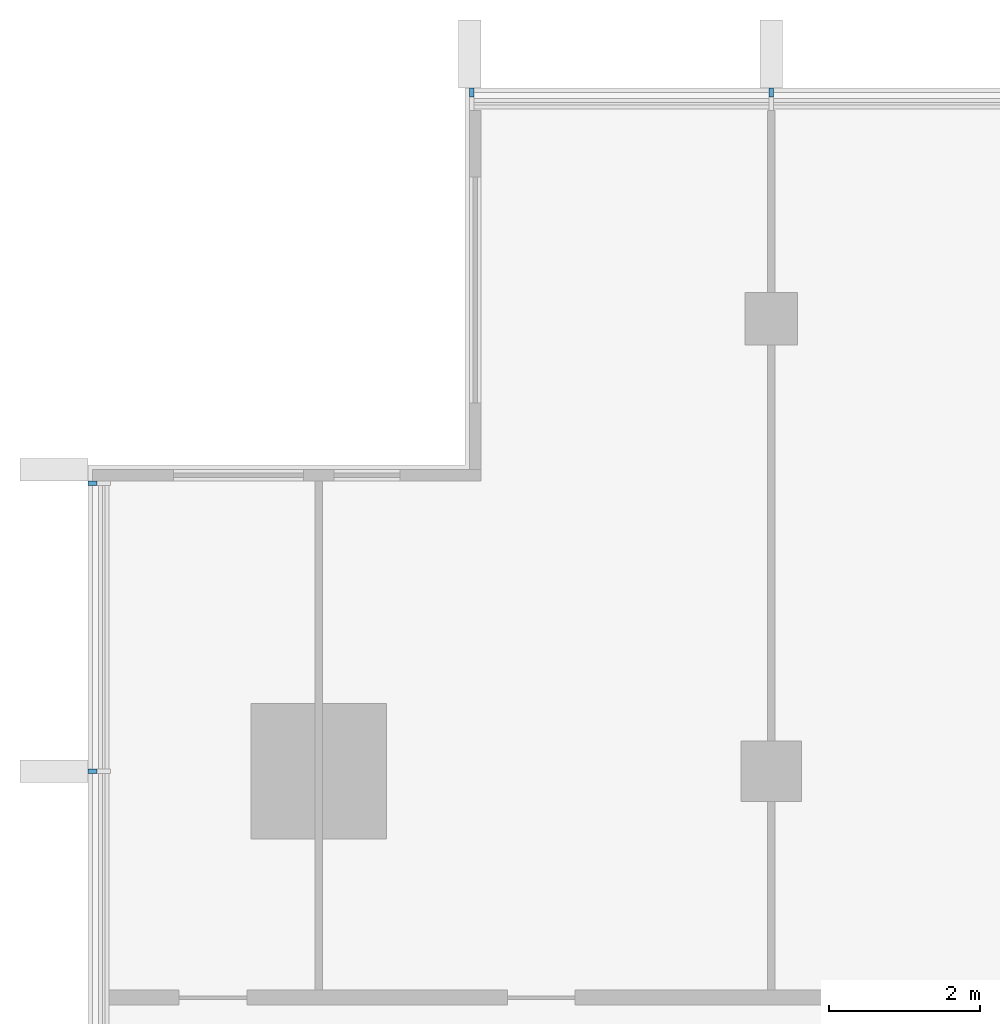
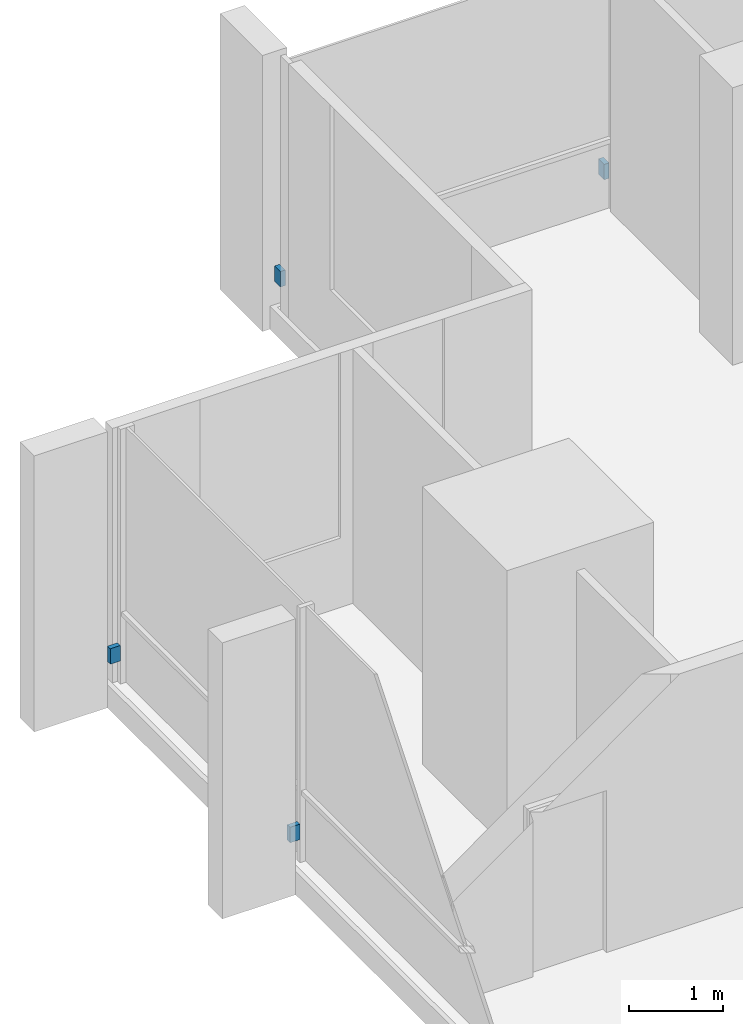
# One storey, part 13 of 15: 4 discrete accessories.
"""IFC4 building model written with IfcOpenShell, lengths in metres."""

import ifcopenshell
import ifcopenshell.guid

model = None  # the IFC model being written
_history = None  # IfcOwnerHistory: only IFC2X3 demands one
_inside = {}  # id of a spatial element -> (the spatial element, [elements in it])
_under = {}  # id of a project, library or spatial element -> (it, [spatial elements below it])
_declared = {}  # id of a project -> (the project, [libraries it declares])
_typed = {}  # id of a type object -> (the type object, [elements of that type])
_made_of = {}  # id of a material, layer set ... -> (it, [elements and type objects made of it])


def new_model(schema):
    """Start an empty IFC model of exactly this schema.

    Asked for "IFC4X3", IfcOpenShell would pick the latest addendum, in which some entities
    have other attributes; the version numbers below select the first issue.
    IFC2X3 requires an IfcOwnerHistory on every rooted entity: one is made here for all.
    """
    global model, _history
    if schema == "IFC4X3":
        model = ifcopenshell.file(schema_version=(4, 3, 0, 0))
    else:
        model = ifcopenshell.file(schema=schema)
    _inside.clear()
    _under.clear()
    _declared.clear()
    _typed.clear()
    _made_of.clear()
    _history = None
    if model.schema == "IFC2X3":
        org = make("IfcOrganization", Name="unknown")
        user = make(
            "IfcPersonAndOrganization",
            ThePerson=make("IfcPerson", FamilyName="unknown"),
            TheOrganization=org,
        )
        app = make(
            "IfcApplication",
            ApplicationDeveloper=org,
            Version="unknown",
            ApplicationFullName="unknown",
            ApplicationIdentifier="unknown",
        )
        _history = make(
            "IfcOwnerHistory",
            OwningUser=user,
            OwningApplication=app,
            ChangeAction="ADDED",
            CreationDate=0,
        )
    return model


def make(cls, **values):
    """One entity of the class cls with the attributes given. An attribute that is None is left unset."""
    return model.create_entity(
        cls, **{name: value for name, value in values.items() if value is not None}
    )


def rooted(cls, **values):
    """An entity with a GlobalId (a new one), such as an element, a storey or a relation."""
    return make(cls, GlobalId=ifcopenshell.guid.new(), OwnerHistory=_history, **values)


def si_unit(unit_type, name, prefix=None):
    """IfcSIUnit, for example si_unit("LENGTHUNIT", "METRE", prefix="MILLI")."""
    return make("IfcSIUnit", UnitType=unit_type, Prefix=prefix, Name=name)


def assignment(units):
    """IfcUnitAssignment: the units of a project."""
    return None if units is None else make("IfcUnitAssignment", Units=units)


def point(xyz):
    """IfcCartesianPoint."""
    return None if xyz is None else make("IfcCartesianPoint", Coordinates=xyz)


def direction(xyz):
    """IfcDirection."""
    return None if xyz is None else make("IfcDirection", DirectionRatios=xyz)


def frame(location, z_axis=None, x_axis=None):
    """IfcAxis2Placement3D, a coordinate frame: its origin and axes. An axis left out is left unset."""
    return make(
        "IfcAxis2Placement3D",
        Location=point(location),
        Axis=direction(z_axis),
        RefDirection=direction(x_axis),
    )


def frame_2d(location, x_axis=None):
    """IfcAxis2Placement2D, a coordinate frame in the plane: its origin and x axis."""
    return make(
        "IfcAxis2Placement2D", Location=point(location), RefDirection=direction(x_axis)
    )


def origin():
    """The frame at (0, 0, 0) with its axes left unset."""
    return frame((0.0, 0.0, 0.0))


def origin_2d():
    """The frame at (0, 0) in the plane with its x axis left unset."""
    return frame_2d((0.0, 0.0))


def place(relative_to, where):
    """IfcLocalPlacement: puts the frame where relative to a parent placement (None: the world)."""
    return make(
        "IfcLocalPlacement", PlacementRelTo=relative_to, RelativePlacement=where
    )


def context(
    kind, dimensions, precision=None, world=None, true_north=None, identifier=None
):
    """IfcGeometricRepresentationContext, for example the 3D "Model" context."""
    return make(
        "IfcGeometricRepresentationContext",
        ContextIdentifier=identifier,
        ContextType=kind,
        CoordinateSpaceDimension=dimensions,
        Precision=precision,
        WorldCoordinateSystem=world,
        TrueNorth=true_north,
    )


def subcontext(parent, identifier, kind, view, scale=None):
    """IfcGeometricRepresentationSubContext, for example "Body" below "Model"."""
    return make(
        "IfcGeometricRepresentationSubContext",
        ContextIdentifier=identifier,
        ContextType=kind,
        ParentContext=parent,
        TargetScale=scale,
        TargetView=view,
    )


def project(units=None, contexts=None):
    """IfcProject with its units and contexts."""
    return rooted(
        "IfcProject",
        Name="project",
        RepresentationContexts=contexts,
        UnitsInContext=assignment(units),
    )


def spatial(cls, under=None, at=None, **own):
    """A site, building, storey or space (cls), placed at a placement, below another one or the project."""
    s = rooted(cls, ObjectPlacement=at, **own)
    if under is not None:
        _under.setdefault(under.id(), (under, []))[1].append(s)
    return s


def profile(cls, at=None, kind="AREA", **sizes):
    """A parametric profile (cls). Its sizes go by their IFC names, for example OverallWidth=200.0."""
    return make(cls, ProfileType=kind, Position=at, **sizes)


def rectangle(**sizes):
    """IfcRectangleProfileDef."""
    return profile("IfcRectangleProfileDef", **sizes)


def extrude(swept, where, along, depth):
    """IfcExtrudedAreaSolid: the profile swept, set in the frame where, extruded along a direction by depth."""
    return make(
        "IfcExtrudedAreaSolid",
        SweptArea=swept,
        Position=where,
        ExtrudedDirection=direction(along),
        Depth=depth,
    )


def shape(context_of_items, identifier, shape_type, items):
    """IfcShapeRepresentation: the items that make up one representation, for example the "Body"."""
    return make(
        "IfcShapeRepresentation",
        ContextOfItems=context_of_items,
        RepresentationIdentifier=identifier,
        RepresentationType=shape_type,
        Items=items,
    )


def material(Name=None, Category=None):
    """IfcMaterial."""
    return make("IfcMaterial", Name=Name, Category=Category)


def made_of(thing, what):
    """Note that an element or type object is made of a material, layer set ...; save() writes the relation."""
    if what is not None:
        _made_of.setdefault(what.id(), (what, []))[1].append(thing)
    return thing


def type_object(cls, material=None, **own):
    """A type object (cls), such as IfcWallType, which elements share."""
    return made_of(rooted(cls, **own), material)


def element(
    cls,
    number,
    at=None,
    inside=None,
    cuts=None,
    type_object=None,
    material=None,
    context=None,
    identifier="Body",
    shape_type=None,
    held_by="IfcProductDefinitionShape",
    body=None,
    shapes=None,
    **own,
):
    """One element of the class cls, such as IfcWall. Its Tag is "e" and its number.

    at: its placement. inside: the storey or other place that contains it. cuts: it is an
    opening in that element (IfcRelVoidsElement). A single representation is given by context,
    identifier, shape_type and body (its items); several are given by shapes. held_by: the class
    of the entity that holds the representations. save() writes the other relations.
    """
    e = rooted(cls, Tag="e%d" % number, ObjectPlacement=at, **own)
    if body is not None:
        shapes = [shape(context, identifier, shape_type, body)]
    if shapes is not None:
        e.Representation = make(held_by, Representations=shapes)
    if inside is not None:
        _inside.setdefault(inside.id(), (inside, []))[1].append(e)
    if cuts is not None:
        rooted(
            "IfcRelVoidsElement", RelatingBuildingElement=cuts, RelatedOpeningElement=e
        )
    if type_object is not None:
        _typed.setdefault(type_object.id(), (type_object, []))[1].append(e)
    return made_of(e, material)


def aggregate(whole, parts):
    """IfcRelAggregates: a whole, such as a stair, and the parts it consists of."""
    return rooted("IfcRelAggregates", RelatingObject=whole, RelatedObjects=parts)


def save(model, path):
    """Write the relations noted so far, then the file.

    IfcRelAggregates (storeys below a building ...), IfcRelContainedInSpatialStructure (elements
    in a storey), IfcRelDefinesByType, IfcRelAssociatesMaterial and IfcRelDeclares: one each for
    every whole, place, type object, material and project.
    """
    for whole, parts in _under.values():
        aggregate(whole, parts)
    for where, things in _inside.values():
        rooted(
            "IfcRelContainedInSpatialStructure",
            RelatedElements=things,
            RelatingStructure=where,
        )
    for kind, things in _typed.values():
        rooted("IfcRelDefinesByType", RelatedObjects=things, RelatingType=kind)
    for what, things in _made_of.values():
        rooted("IfcRelAssociatesMaterial", RelatedObjects=things, RelatingMaterial=what)
    for by, libraries in _declared.values():
        rooted("IfcRelDeclares", RelatingContext=by, RelatedDefinitions=libraries)
    model.write(path)


model = new_model("IFC4")

# Units and contexts
model_context = context("Model", 3, precision=1e-05, world=origin(), true_north=direction((0.0, 1.0)))
body_context = subcontext(model_context, "Body", "Model", "MODEL_VIEW")
ifc_project = project(units=[si_unit("LENGTHUNIT", "METRE"), si_unit("AREAUNIT", "SQUARE_METRE"), si_unit("VOLUMEUNIT", "CUBIC_METRE"), si_unit("PLANEANGLEUNIT", "RADIAN"), si_unit("MASSUNIT", "GRAM", prefix="KILO")], contexts=[model_context])

# Site, building, storey
site_placement = place(None, origin())
site = spatial("IfcSite", under=ifc_project, at=site_placement, CompositionType="ELEMENT")
building_placement = place(site_placement, origin())
building = spatial("IfcBuilding", under=site, at=building_placement, Name="Finial Court Residences", CompositionType="ELEMENT")
storey_placement = place(building_placement, frame((0.0, 0.0, 273.5)))
storey = spatial("IfcBuildingStorey", under=building, at=storey_placement, Name="L69", CompositionType="ELEMENT", Elevation=273.5)

# Discrete accessories
ifc_material = material(Name="Stainless steel 316", Category="steel")
discrete_accessory_type = type_object("IfcDiscreteAccessoryType", Name="Fin bracket, stainless steel 60 x 122 x 200", PredefinedType="BRACKET", material=ifc_material)
for number, where, z_axis, x_axis, name in (
    (1, (-14.469970703125, 16.498779296875, 0.2998046875), (0.0, 0.0, 1.0), (1.0, 0.0, 0.0), "E-L69-FIN-N1-BRK"),
    (2, (-10.5, 16.498779296875, 0.2998046875), (0.0, 0.0, 1.0), (1.0, 0.0, 0.0), "E-L69-FIN-N2-BRK"),
):
    element("IfcDiscreteAccessory", number, at=place(storey_placement, frame(where, z_axis=z_axis, x_axis=x_axis)), inside=storey, type_object=discrete_accessory_type, Name=name, PredefinedType="BRACKET", context=body_context, shape_type="SweptSolid", body=[
        extrude(rectangle(XDim=0.06005859375, YDim=0.12255859375, at=origin_2d()), origin(), (0.0, 0.0, 1.0), 0.199951171875),
    ])
for number, where, z_axis, x_axis, name in (
    (3, (-19.498779296875, 7.5, 0.2998046875), (0.0, 0.0, 1.0), (1.0, 0.0, 0.0), "E-L69-FIN-W25-BRK"),
    (4, (-19.498779296875, 11.320068359375, 0.2998046875), (0.0, 0.0, 1.0), (1.0, 0.0, 0.0), "E-L69-FIN-W26-BRK"),
):
    element("IfcDiscreteAccessory", number, at=place(storey_placement, frame(where, z_axis=z_axis, x_axis=x_axis)), inside=storey, type_object=discrete_accessory_type, Name=name, PredefinedType="BRACKET", context=body_context, shape_type="SweptSolid", body=[
        extrude(rectangle(XDim=0.12255859375, YDim=0.06005859375, at=origin_2d()), origin(), (0.0, 0.0, 1.0), 0.199951171875),
    ])

save(model, "model.ifc")
